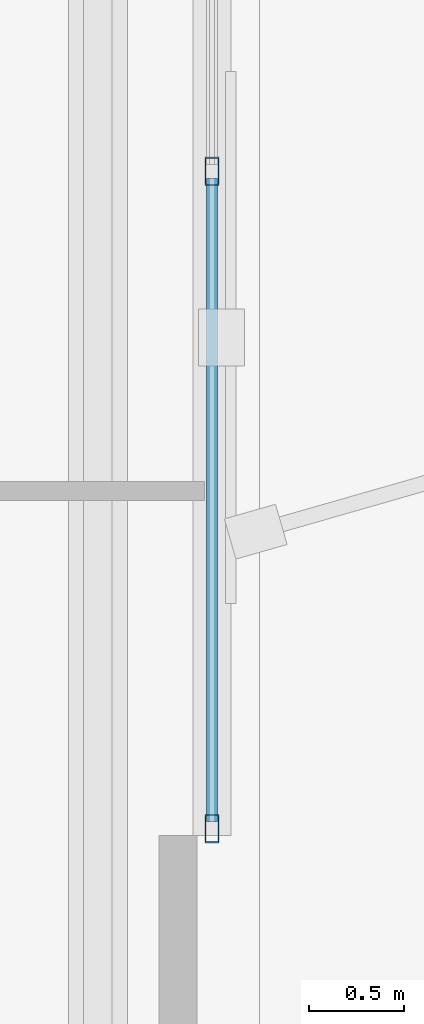
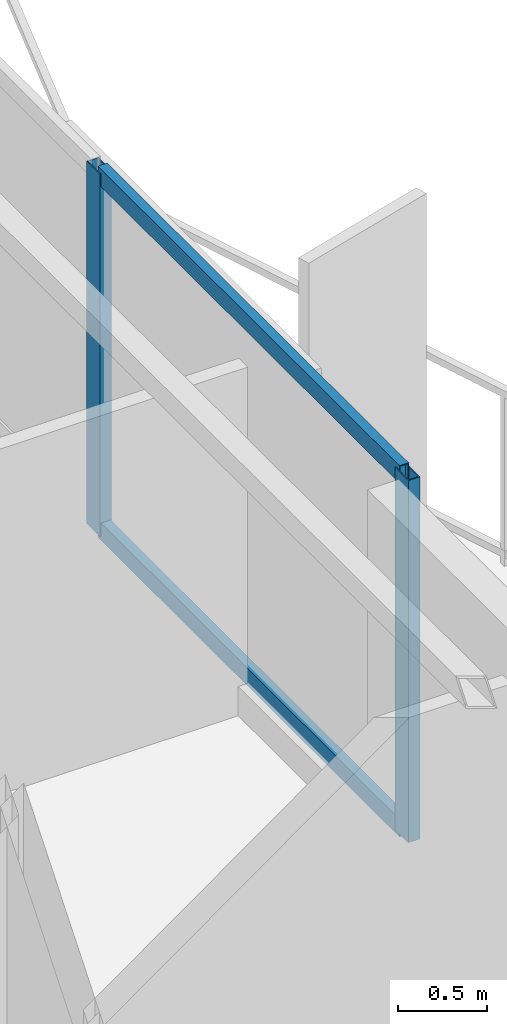
# One storey, part 7 of 18: 4 members, 1 element without a shape of its own.
"""IFC4 building model written with IfcOpenShell, lengths in metres."""

import ifcopenshell
import ifcopenshell.guid

model = None  # the IFC model being written
_history = None  # IfcOwnerHistory: only IFC2X3 demands one
_inside = {}  # id of a spatial element -> (the spatial element, [elements in it])
_under = {}  # id of a project, library or spatial element -> (it, [spatial elements below it])
_declared = {}  # id of a project -> (the project, [libraries it declares])
_typed = {}  # id of a type object -> (the type object, [elements of that type])
_made_of = {}  # id of a material, layer set ... -> (it, [elements and type objects made of it])


def new_model(schema):
    """Start an empty IFC model of exactly this schema.

    Asked for "IFC4X3", IfcOpenShell would pick the latest addendum, in which some entities
    have other attributes; the version numbers below select the first issue.
    IFC2X3 requires an IfcOwnerHistory on every rooted entity: one is made here for all.
    """
    global model, _history
    if schema == "IFC4X3":
        model = ifcopenshell.file(schema_version=(4, 3, 0, 0))
    else:
        model = ifcopenshell.file(schema=schema)
    _inside.clear()
    _under.clear()
    _declared.clear()
    _typed.clear()
    _made_of.clear()
    _history = None
    if model.schema == "IFC2X3":
        org = make("IfcOrganization", Name="unknown")
        user = make(
            "IfcPersonAndOrganization",
            ThePerson=make("IfcPerson", FamilyName="unknown"),
            TheOrganization=org,
        )
        app = make(
            "IfcApplication",
            ApplicationDeveloper=org,
            Version="unknown",
            ApplicationFullName="unknown",
            ApplicationIdentifier="unknown",
        )
        _history = make(
            "IfcOwnerHistory",
            OwningUser=user,
            OwningApplication=app,
            ChangeAction="ADDED",
            CreationDate=0,
        )
    return model


def make(cls, **values):
    """One entity of the class cls with the attributes given. An attribute that is None is left unset."""
    return model.create_entity(
        cls, **{name: value for name, value in values.items() if value is not None}
    )


def rooted(cls, **values):
    """An entity with a GlobalId (a new one), such as an element, a storey or a relation."""
    return make(cls, GlobalId=ifcopenshell.guid.new(), OwnerHistory=_history, **values)


def si_unit(unit_type, name, prefix=None):
    """IfcSIUnit, for example si_unit("LENGTHUNIT", "METRE", prefix="MILLI")."""
    return make("IfcSIUnit", UnitType=unit_type, Prefix=prefix, Name=name)


def assignment(units):
    """IfcUnitAssignment: the units of a project."""
    return None if units is None else make("IfcUnitAssignment", Units=units)


def point(xyz):
    """IfcCartesianPoint."""
    return None if xyz is None else make("IfcCartesianPoint", Coordinates=xyz)


def direction(xyz):
    """IfcDirection."""
    return None if xyz is None else make("IfcDirection", DirectionRatios=xyz)


def frame(location, z_axis=None, x_axis=None):
    """IfcAxis2Placement3D, a coordinate frame: its origin and axes. An axis left out is left unset."""
    return make(
        "IfcAxis2Placement3D",
        Location=point(location),
        Axis=direction(z_axis),
        RefDirection=direction(x_axis),
    )


def frame_2d(location, x_axis=None):
    """IfcAxis2Placement2D, a coordinate frame in the plane: its origin and x axis."""
    return make(
        "IfcAxis2Placement2D", Location=point(location), RefDirection=direction(x_axis)
    )


def origin():
    """The frame at (0, 0, 0) with its axes left unset."""
    return frame((0.0, 0.0, 0.0))


def origin_2d():
    """The frame at (0, 0) in the plane with its x axis left unset."""
    return frame_2d((0.0, 0.0))


def place(relative_to, where):
    """IfcLocalPlacement: puts the frame where relative to a parent placement (None: the world)."""
    return make(
        "IfcLocalPlacement", PlacementRelTo=relative_to, RelativePlacement=where
    )


def context(
    kind, dimensions, precision=None, world=None, true_north=None, identifier=None
):
    """IfcGeometricRepresentationContext, for example the 3D "Model" context."""
    return make(
        "IfcGeometricRepresentationContext",
        ContextIdentifier=identifier,
        ContextType=kind,
        CoordinateSpaceDimension=dimensions,
        Precision=precision,
        WorldCoordinateSystem=world,
        TrueNorth=true_north,
    )


def subcontext(parent, identifier, kind, view, scale=None):
    """IfcGeometricRepresentationSubContext, for example "Body" below "Model"."""
    return make(
        "IfcGeometricRepresentationSubContext",
        ContextIdentifier=identifier,
        ContextType=kind,
        ParentContext=parent,
        TargetScale=scale,
        TargetView=view,
    )


def project(units=None, contexts=None):
    """IfcProject with its units and contexts."""
    return rooted(
        "IfcProject",
        Name="project",
        RepresentationContexts=contexts,
        UnitsInContext=assignment(units),
    )


def spatial(cls, under=None, at=None, **own):
    """A site, building, storey or space (cls), placed at a placement, below another one or the project."""
    s = rooted(cls, ObjectPlacement=at, **own)
    if under is not None:
        _under.setdefault(under.id(), (under, []))[1].append(s)
    return s


def profile(cls, at=None, kind="AREA", **sizes):
    """A parametric profile (cls). Its sizes go by their IFC names, for example OverallWidth=200.0."""
    return make(cls, ProfileType=kind, Position=at, **sizes)


def hollow_rectangle(**sizes):
    """IfcRectangleHollowProfileDef."""
    return profile("IfcRectangleHollowProfileDef", **sizes)


def extrude(swept, where, along, depth):
    """IfcExtrudedAreaSolid: the profile swept, set in the frame where, extruded along a direction by depth."""
    return make(
        "IfcExtrudedAreaSolid",
        SweptArea=swept,
        Position=where,
        ExtrudedDirection=direction(along),
        Depth=depth,
    )


def shape(context_of_items, identifier, shape_type, items):
    """IfcShapeRepresentation: the items that make up one representation, for example the "Body"."""
    return make(
        "IfcShapeRepresentation",
        ContextOfItems=context_of_items,
        RepresentationIdentifier=identifier,
        RepresentationType=shape_type,
        Items=items,
    )


def material(Name=None, Category=None):
    """IfcMaterial."""
    return make("IfcMaterial", Name=Name, Category=Category)


def layer(
    of_material, thickness, ventilated=None, Name=None, Category=None, Priority=None
):
    """IfcMaterialLayer: one layer of a wall or slab, of a material (None: an air gap)."""
    return make(
        "IfcMaterialLayer",
        Material=of_material,
        LayerThickness=thickness,
        IsVentilated=ventilated,
        Name=Name,
        Category=Category,
        Priority=Priority,
    )


def layer_set(layers, Name=None):
    """IfcMaterialLayerSet."""
    return make("IfcMaterialLayerSet", MaterialLayers=layers, LayerSetName=Name)


def material_profile(
    of_material, cross_section, Name=None, Category=None, Priority=None
):
    """IfcMaterialProfile: a cross section and its material."""
    return make(
        "IfcMaterialProfile",
        Name=Name,
        Material=of_material,
        Profile=cross_section,
        Priority=Priority,
        Category=Category,
    )


def profile_set(profiles, Name=None, composite=None):
    """IfcMaterialProfileSet."""
    return make(
        "IfcMaterialProfileSet",
        Name=Name,
        MaterialProfiles=profiles,
        CompositeProfile=composite,
    )


def made_of(thing, what):
    """Note that an element or type object is made of a material, layer set ...; save() writes the relation."""
    if what is not None:
        _made_of.setdefault(what.id(), (what, []))[1].append(thing)
    return thing


def type_object(cls, material=None, **own):
    """A type object (cls), such as IfcWallType, which elements share."""
    return made_of(rooted(cls, **own), material)


def element(
    cls,
    number,
    at=None,
    inside=None,
    cuts=None,
    type_object=None,
    material=None,
    context=None,
    identifier="Body",
    shape_type=None,
    held_by="IfcProductDefinitionShape",
    body=None,
    shapes=None,
    **own,
):
    """One element of the class cls, such as IfcWall. Its Tag is "e" and its number.

    at: its placement. inside: the storey or other place that contains it. cuts: it is an
    opening in that element (IfcRelVoidsElement). A single representation is given by context,
    identifier, shape_type and body (its items); several are given by shapes. held_by: the class
    of the entity that holds the representations. save() writes the other relations.
    """
    e = rooted(cls, Tag="e%d" % number, ObjectPlacement=at, **own)
    if body is not None:
        shapes = [shape(context, identifier, shape_type, body)]
    if shapes is not None:
        e.Representation = make(held_by, Representations=shapes)
    if inside is not None:
        _inside.setdefault(inside.id(), (inside, []))[1].append(e)
    if cuts is not None:
        rooted(
            "IfcRelVoidsElement", RelatingBuildingElement=cuts, RelatedOpeningElement=e
        )
    if type_object is not None:
        _typed.setdefault(type_object.id(), (type_object, []))[1].append(e)
    return made_of(e, material)


def aggregate(whole, parts):
    """IfcRelAggregates: a whole, such as a stair, and the parts it consists of."""
    return rooted("IfcRelAggregates", RelatingObject=whole, RelatedObjects=parts)


def save(model, path):
    """Write the relations noted so far, then the file.

    IfcRelAggregates (storeys below a building ...), IfcRelContainedInSpatialStructure (elements
    in a storey), IfcRelDefinesByType, IfcRelAssociatesMaterial and IfcRelDeclares: one each for
    every whole, place, type object, material and project.
    """
    for whole, parts in _under.values():
        aggregate(whole, parts)
    for where, things in _inside.values():
        rooted(
            "IfcRelContainedInSpatialStructure",
            RelatedElements=things,
            RelatingStructure=where,
        )
    for kind, things in _typed.values():
        rooted("IfcRelDefinesByType", RelatedObjects=things, RelatingType=kind)
    for what, things in _made_of.values():
        rooted("IfcRelAssociatesMaterial", RelatedObjects=things, RelatingMaterial=what)
    for by, libraries in _declared.values():
        rooted("IfcRelDeclares", RelatingContext=by, RelatedDefinitions=libraries)
    model.write(path)


model = new_model("IFC4")

# Units and contexts
model_context = context("Model", 3, precision=1e-05, world=origin(), true_north=direction((0.0, 1.0)))
body_context = subcontext(model_context, "Body", "Model", "MODEL_VIEW")
ifc_project = project(units=[si_unit("LENGTHUNIT", "METRE"), si_unit("AREAUNIT", "SQUARE_METRE"), si_unit("VOLUMEUNIT", "CUBIC_METRE"), si_unit("PLANEANGLEUNIT", "RADIAN"), si_unit("MASSUNIT", "GRAM", prefix="KILO")], contexts=[model_context])

# Site, building, storey
site_placement = place(None, origin())
site = spatial("IfcSite", under=ifc_project, at=site_placement, CompositionType="ELEMENT")
building_placement = place(site_placement, origin())
building = spatial("IfcBuilding", under=site, at=building_placement, Name="Mersakhor Tower and Convention Hall", CompositionType="ELEMENT")
storey_placement = place(building_placement, frame((0.0, 0.0, 154.199951171875)))
storey = spatial("IfcBuildingStorey", under=building, at=storey_placement, Name="L43", CompositionType="ELEMENT", Elevation=154.199951171875)

# Curtain wall, members
ifc_material_1 = material(Name="Dark solar low-E aluminium curtain wall", Category="aluminium")
ifc_layer = layer(ifc_material_1, 0.169921875)
ifc_layer_set = layer_set([ifc_layer], Name="Dark solar low-E aluminium curtain wall")
curtain_wall_type = type_object("IfcCurtainWallType", Name="CW-SYS-02", PredefinedType="USERDEFINED", material=ifc_layer_set)
curtain_wall_placement = place(storey_placement, origin())
curtain_wall = element("IfcCurtainWall", 1, at=curtain_wall_placement, inside=storey, type_object=curtain_wall_type, Name="L43 Dark-Glass Curtain Wall F2-B2", ObjectType="CURTAIN WALL", PredefinedType="USERDEFINED")
ifc_material_2 = material(Name="Anodised aluminium EN AW-6063 T6", Category="aluminium")
ifc_material_profile_1 = material_profile(ifc_material_2, hollow_rectangle(XDim=0.074951171875, YDim=0.14990234375, WallThickness=0.00634765625, at=origin_2d()), Name="RHS 150x75x6.3")
ifc_profile_set_1 = profile_set([ifc_material_profile_1], Name="Anodised aluminium EN AW-6063 T6")
member_type_1 = type_object("IfcMemberType", Name="CWM-150x75", PredefinedType="MULLION", material=ifc_profile_set_1)
member_1_placement = place(storey_placement, frame((42.21923828125, 25.00244140625, 0.199951171875), z_axis=(0.0, 0.0, 1.0), x_axis=(1.0, 0.0, 0.0)))
member_1 = element("IfcMember", 2, at=member_1_placement, type_object=member_type_1, Name="CW-02 mullion 3", PredefinedType="MULLION", context=body_context, shape_type="SweptSolid", body=[
    extrude(hollow_rectangle(XDim=0.074951171875, YDim=0.14990234375, WallThickness=0.00634765625, at=origin_2d()), origin(), (0.0, 0.0, 1.0), 2.47998046875),
])
member_2_placement = place(storey_placement, frame((42.21923828125, 21.54443359375, 0.199951171875), z_axis=(0.0, 0.0, 1.0), x_axis=(1.0, 0.0, 0.0)))
member_2 = element("IfcMember", 3, at=member_2_placement, type_object=member_type_1, Name="CW-02 mullion 4", PredefinedType="MULLION", context=body_context, shape_type="SweptSolid", body=[
    extrude(hollow_rectangle(XDim=0.074951171875, YDim=0.14990234375, WallThickness=0.00634765625, at=origin_2d()), origin(), (0.0, 0.0, 1.0), 2.47998046875),
])
ifc_material_3 = material(Name="Anodised aluminium EN AW-6063 T6", Category="aluminium")
ifc_material_profile_2 = material_profile(ifc_material_3, hollow_rectangle(XDim=0.06005859375, YDim=0.1201171875, WallThickness=0.0048828125, at=origin_2d()), Name="RHS 120x60x5")
ifc_profile_set_2 = profile_set([ifc_material_profile_2], Name="Anodised aluminium EN AW-6063 T6")
member_type_2 = type_object("IfcMemberType", Name="CWT-120x60", PredefinedType="USERDEFINED", material=ifc_profile_set_2)
member_3_placement = place(storey_placement, frame((42.21923828125, 24.96484375, 0.22998046875), z_axis=(0.0, -1.0, 0.0), x_axis=(1.0, 0.0, 0.0)))
member_3 = element("IfcMember", 4, at=member_3_placement, type_object=member_type_2, Name="CW-02 transom 3.1", ObjectType="TRANSOM", PredefinedType="USERDEFINED", context=body_context, shape_type="SweptSolid", body=[
    extrude(hollow_rectangle(XDim=0.06005859375, YDim=0.1201171875, WallThickness=0.0048828125, at=origin_2d()), origin(), (0.0, 0.0, 1.0), 3.3828125),
])
member_4_placement = place(storey_placement, frame((42.21923828125, 24.96484375, 2.650146484375), z_axis=(0.0, -1.0, 0.0), x_axis=(1.0, 0.0, 0.0)))
member_4 = element("IfcMember", 5, at=member_4_placement, type_object=member_type_2, Name="CW-02 transom 3.2", ObjectType="TRANSOM", PredefinedType="USERDEFINED", context=body_context, shape_type="SweptSolid", body=[
    extrude(hollow_rectangle(XDim=0.06005859375, YDim=0.1201171875, WallThickness=0.0048828125, at=origin_2d()), origin(), (0.0, 0.0, 1.0), 3.3828125),
])
aggregate(curtain_wall, [member_1, member_2, member_3, member_4])

save(model, "model.ifc")
